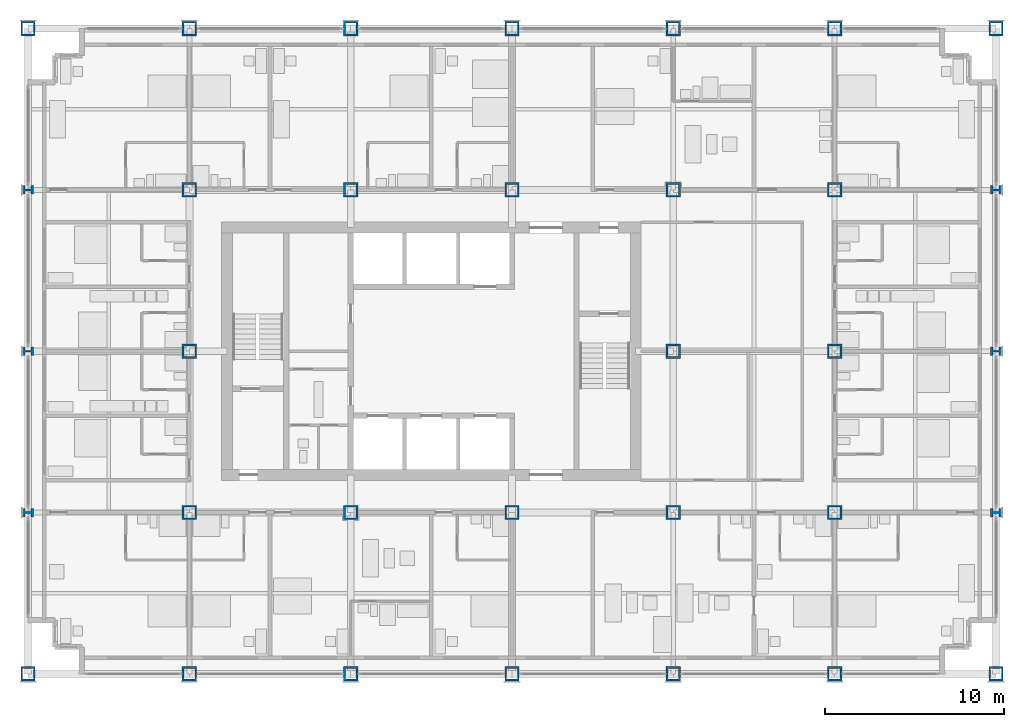
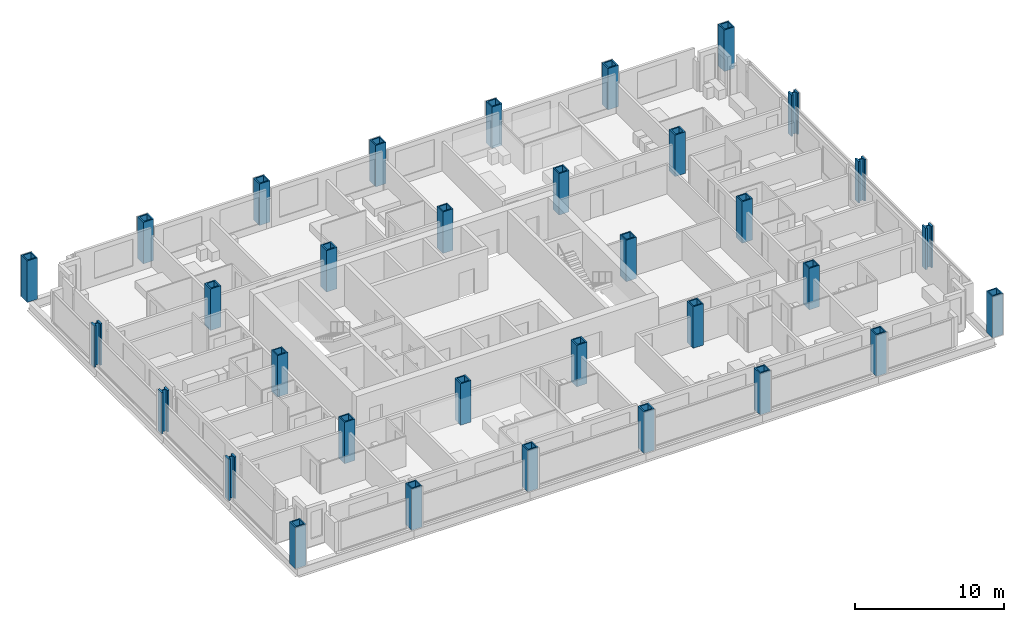
# One storey, part 1 of 18: 33 columns.
"""IFC4 building model written with IfcOpenShell, lengths in metres."""

from ifc_helpers import new_model, si_unit, direction, frame, origin, origin_2d, place, context, subcontext, project, spatial, hollow_rectangle, i_section, extrude, material, material_profile, profile_set, type_object, element, save


model = new_model("IFC4")

# Units and contexts
model_context = context("Model", 3, precision=1e-05, world=origin(), true_north=direction((0.0, 1.0)))
body_context = subcontext(model_context, "Body", "Model", "MODEL_VIEW")
ifc_project = project(units=[si_unit("LENGTHUNIT", "METRE"), si_unit("AREAUNIT", "SQUARE_METRE"), si_unit("VOLUMEUNIT", "CUBIC_METRE"), si_unit("PLANEANGLEUNIT", "RADIAN"), si_unit("MASSUNIT", "GRAM", prefix="KILO")], contexts=[model_context])

# Site, building, storey
site_placement = place(None, origin())
site = spatial("IfcSite", under=ifc_project, at=site_placement, CompositionType="ELEMENT")
building_placement = place(site_placement, origin())
building = spatial("IfcBuilding", under=site, at=building_placement, Name="Loomwork Tower", CompositionType="ELEMENT")
storey_placement = place(building_placement, frame((0.0, 0.0, 51.800048828125)))
storey = spatial("IfcBuildingStorey", under=building, at=storey_placement, Name="L12", CompositionType="ELEMENT", Elevation=51.800048828125)

# Columns
ifc_material_1 = material(Name="Steel ASTM A572 Grade 50 plate", Category="steel")
ifc_material_profile_1 = material_profile(ifc_material_1, hollow_rectangle(XDim=0.800048828125, YDim=0.800048828125, WallThickness=0.10009765625, at=origin_2d()), Name="BOX800x100")
ifc_profile_set_1 = profile_set([ifc_material_profile_1], Name="Steel ASTM A572 Grade 50 plate")
column_type_1 = type_object("IfcColumnType", Name="EXOSKELETON PIER BOX800x100", PredefinedType="COLUMN", material=ifc_profile_set_1)
for number, where, z_axis, x_axis, name in (
    (1, (0.0, 0.0, 0.0), (0.0, 0.0, 1.0), (1.0, 0.0, 0.0), "Exoskeleton Pier D/2 L12"),
    (2, (0.0, 36.0, 0.0), (0.0, 0.0, 1.0), (1.0, 0.0, 0.0), "Exoskeleton Pier H/2 L12"),
    (3, (9.0, 0.0, 0.0), (0.0, 0.0, 1.0), (1.0, 0.0, 0.0), "Exoskeleton Pier D/3 L12"),
    (4, (9.0, 36.0, 0.0), (0.0, 0.0, 1.0), (1.0, 0.0, 0.0), "Exoskeleton Pier H/3 L12"),
    (5, (18.0, 0.0, 0.0), (0.0, 0.0, 1.0), (1.0, 0.0, 0.0), "Exoskeleton Pier D/4 L12"),
    (6, (18.0, 36.0, 0.0), (0.0, 0.0, 1.0), (1.0, 0.0, 0.0), "Exoskeleton Pier H/4 L12"),
    (7, (27.0, 0.0, 0.0), (0.0, 0.0, 1.0), (1.0, 0.0, 0.0), "Exoskeleton Pier D/5 L12"),
    (8, (27.0, 36.0, 0.0), (0.0, 0.0, 1.0), (1.0, 0.0, 0.0), "Exoskeleton Pier H/5 L12"),
    (9, (36.0, 0.0, 0.0), (0.0, 0.0, 1.0), (1.0, 0.0, 0.0), "Exoskeleton Pier D/6 L12"),
    (10, (36.0, 36.0, 0.0), (0.0, 0.0, 1.0), (1.0, 0.0, 0.0), "Exoskeleton Pier H/6 L12"),
    (11, (45.0, 0.0, 0.0), (0.0, 0.0, 1.0), (1.0, 0.0, 0.0), "Exoskeleton Pier D/7 L12"),
    (12, (45.0, 36.0, 0.0), (0.0, 0.0, 1.0), (1.0, 0.0, 0.0), "Exoskeleton Pier H/7 L12"),
    (13, (54.0, 0.0, 0.0), (0.0, 0.0, 1.0), (1.0, 0.0, 0.0), "Exoskeleton Pier D/8 L12"),
    (14, (54.0, 36.0, 0.0), (0.0, 0.0, 1.0), (1.0, 0.0, 0.0), "Exoskeleton Pier H/8 L12"),
):
    element("IfcColumn", number, at=place(storey_placement, frame(where, z_axis=z_axis, x_axis=x_axis)), inside=storey, type_object=column_type_1, Name=name, PredefinedType="COLUMN", context=body_context, shape_type="SweptSolid", body=[
        extrude(hollow_rectangle(XDim=0.800048828125, YDim=0.800048828125, WallThickness=0.10009765625, at=origin_2d()), origin(), (0.0, 0.0, 1.0), 3.39990234375),
    ])
ifc_material_2 = material(Name="Steel ASTM A992", Category="steel")
ifc_material_profile_2 = material_profile(ifc_material_2, i_section(OverallWidth=0.4775390625, OverallDepth=0.599365234375, WebThickness=0.10009765625, FlangeThickness=0.139892578125, at=origin_2d()), Name="W14x873")
ifc_profile_set_2 = profile_set([ifc_material_profile_2], Name="Steel ASTM A992")
column_type_2 = type_object("IfcColumnType", Name="EXOSKELETON PIER W14x873", PredefinedType="COLUMN", material=ifc_profile_set_2)
for number, where, z_axis, x_axis, name in (
    (15, (0.0, 9.0, 0.0), (0.0, 0.0, 1.0), (0.0, 1.0, 0.0), "Exoskeleton Pier E/2 L12"),
    (16, (0.0, 18.0, 0.0), (0.0, 0.0, 1.0), (0.0, 1.0, 0.0), "Exoskeleton Pier F/2 L12"),
    (17, (0.0, 27.0, 0.0), (0.0, 0.0, 1.0), (0.0, 1.0, 0.0), "Exoskeleton Pier G/2 L12"),
    (18, (54.0, 9.0, 0.0), (0.0, 0.0, 1.0), (0.0, 1.0, 0.0), "Exoskeleton Pier E/8 L12"),
    (19, (54.0, 18.0, 0.0), (0.0, 0.0, 1.0), (0.0, 1.0, 0.0), "Exoskeleton Pier F/8 L12"),
    (20, (54.0, 27.0, 0.0), (0.0, 0.0, 1.0), (0.0, 1.0, 0.0), "Exoskeleton Pier G/8 L12"),
):
    element("IfcColumn", number, at=place(storey_placement, frame(where, z_axis=z_axis, x_axis=x_axis)), inside=storey, type_object=column_type_2, Name=name, PredefinedType="COLUMN", context=body_context, shape_type="SweptSolid", body=[
        extrude(i_section(OverallWidth=0.4775390625, OverallDepth=0.599365234375, WebThickness=0.10009765625, FlangeThickness=0.139892578125, at=origin_2d()), origin(), (0.0, 0.0, 1.0), 3.39990234375),
    ])
ifc_material_3 = material(Name="Steel ASTM A572 Grade 50 plate", Category="steel")
ifc_material_profile_3 = material_profile(ifc_material_3, hollow_rectangle(XDim=0.800048828125, YDim=0.800048828125, WallThickness=0.10009765625, at=origin_2d()), Name="BOX800x100")
ifc_profile_set_3 = profile_set([ifc_material_profile_3], Name="Steel ASTM A572 Grade 50 plate")
column_type_3 = type_object("IfcColumnType", Name="TOWER COLUMN BOX800x100", PredefinedType="COLUMN", material=ifc_profile_set_3)
for number, where, z_axis, x_axis, name in (
    (21, (9.0, 9.0, 0.0), (0.0, 0.0, 1.0), (1.0, 0.0, 0.0), "Tower Column E/3 L12"),
    (22, (9.0, 18.0, 0.0), (0.0, 0.0, 1.0), (1.0, 0.0, 0.0), "Tower Column F/3 L12"),
    (23, (9.0, 27.0, 0.0), (0.0, 0.0, 1.0), (1.0, 0.0, 0.0), "Tower Column G/3 L12"),
    (24, (18.0, 9.0, 0.0), (0.0, 0.0, 1.0), (1.0, 0.0, 0.0), "Tower Column E/4 L12"),
    (25, (18.0, 27.0, 0.0), (0.0, 0.0, 1.0), (1.0, 0.0, 0.0), "Tower Column G/4 L12"),
    (26, (27.0, 9.0, 0.0), (0.0, 0.0, 1.0), (1.0, 0.0, 0.0), "Tower Column E/5 L12"),
    (27, (27.0, 27.0, 0.0), (0.0, 0.0, 1.0), (1.0, 0.0, 0.0), "Tower Column G/5 L12"),
    (28, (36.0, 9.0, 0.0), (0.0, 0.0, 1.0), (0.0, 1.0, 0.0), "Tower Column E/6 L12"),
    (29, (36.0, 18.0, 0.0), (0.0, 0.0, 1.0), (0.0, 1.0, 0.0), "Tower Column F/6 L12"),
    (30, (36.0, 27.0, 0.0), (0.0, 0.0, 1.0), (1.0, 0.0, 0.0), "Tower Column G/6 L12"),
    (31, (45.0, 9.0, 0.0), (0.0, 0.0, 1.0), (0.0, 1.0, 0.0), "Tower Column E/7 L12"),
    (32, (45.0, 18.0, 0.0), (0.0, 0.0, 1.0), (0.0, 1.0, 0.0), "Tower Column F/7 L12"),
    (33, (45.0, 27.0, 0.0), (0.0, 0.0, 1.0), (0.0, 1.0, 0.0), "Tower Column G/7 L12"),
):
    element("IfcColumn", number, at=place(storey_placement, frame(where, z_axis=z_axis, x_axis=x_axis)), inside=storey, type_object=column_type_3, Name=name, PredefinedType="COLUMN", context=body_context, shape_type="SweptSolid", body=[
        extrude(hollow_rectangle(XDim=0.800048828125, YDim=0.800048828125, WallThickness=0.10009765625, at=origin_2d()), origin(), (0.0, 0.0, 1.0), 3.39990234375),
    ])

save(model, "model.ifc")
